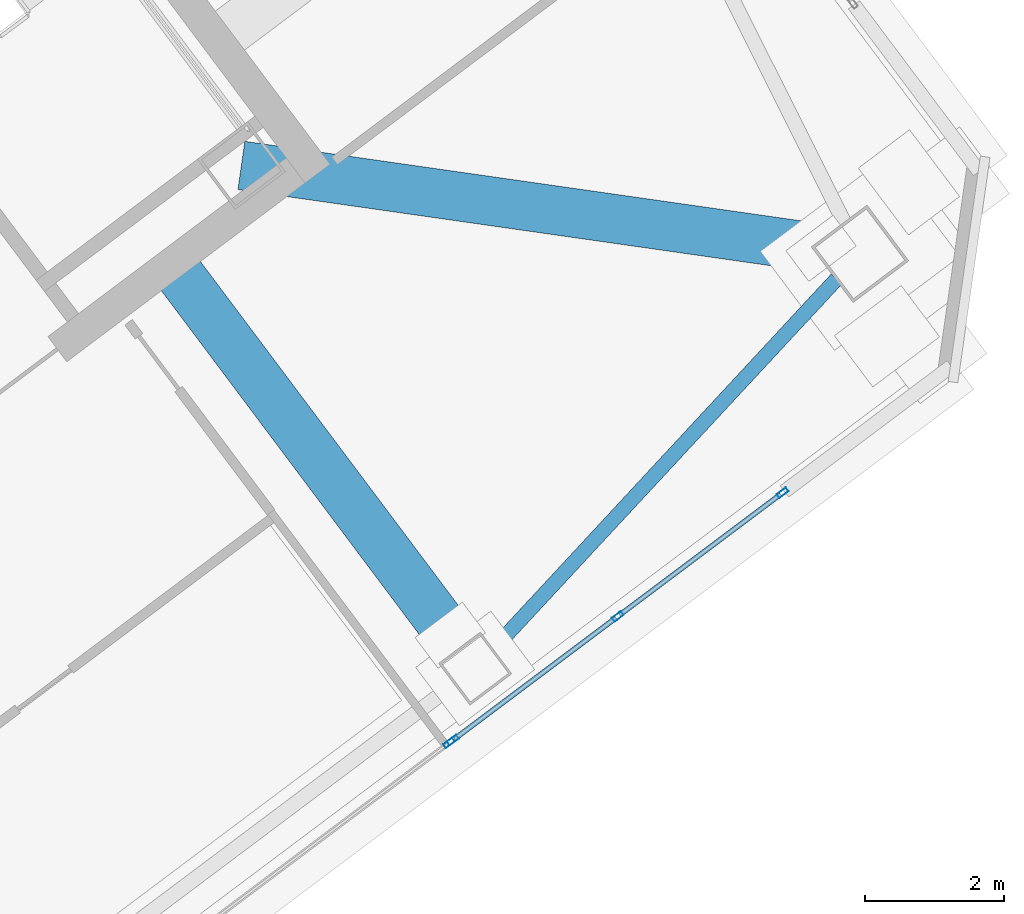
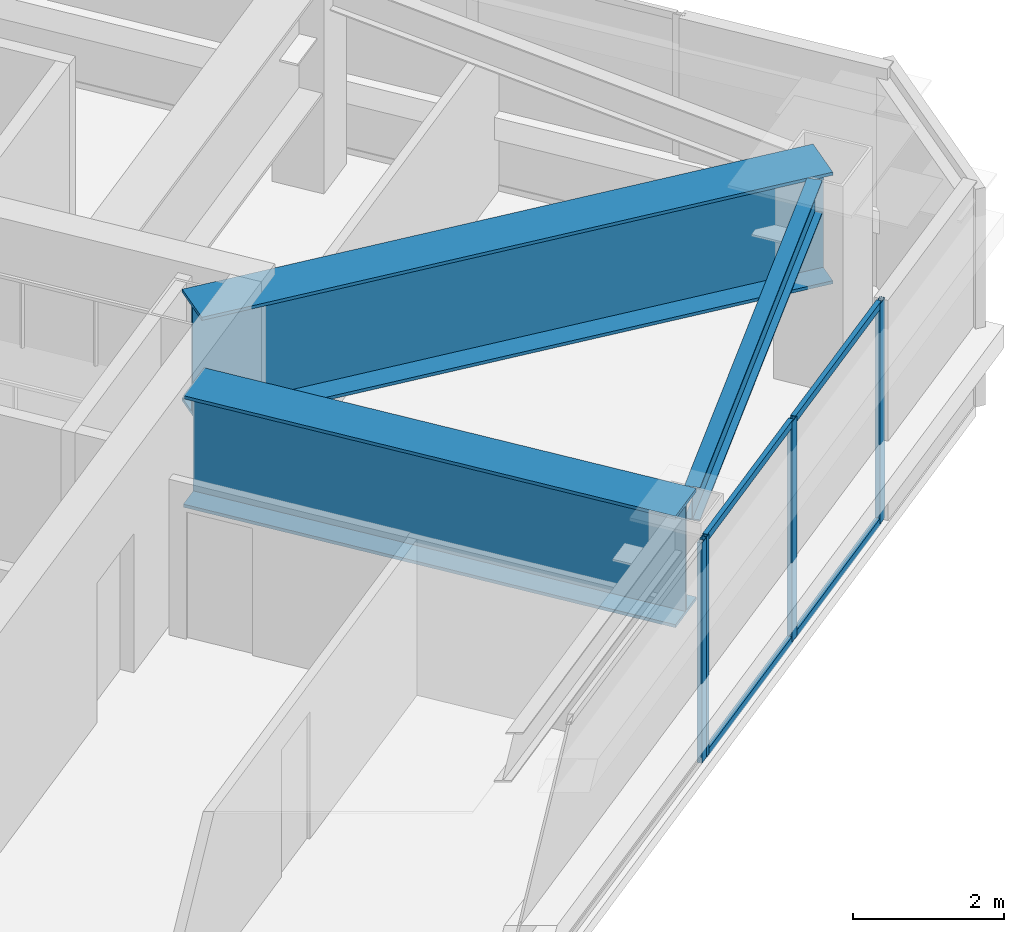
# One storey, part 23 of 40: 8 members, 3 beams, 2 elements without a shape of their own.
"""IFC4 building model written with IfcOpenShell, lengths in metres."""

import ifcopenshell
import ifcopenshell.guid

model = None  # the IFC model being written
_history = None  # IfcOwnerHistory: only IFC2X3 demands one
_inside = {}  # id of a spatial element -> (the spatial element, [elements in it])
_under = {}  # id of a project, library or spatial element -> (it, [spatial elements below it])
_declared = {}  # id of a project -> (the project, [libraries it declares])
_typed = {}  # id of a type object -> (the type object, [elements of that type])
_made_of = {}  # id of a material, layer set ... -> (it, [elements and type objects made of it])


def new_model(schema):
    """Start an empty IFC model of exactly this schema.

    Asked for "IFC4X3", IfcOpenShell would pick the latest addendum, in which some entities
    have other attributes; the version numbers below select the first issue.
    IFC2X3 requires an IfcOwnerHistory on every rooted entity: one is made here for all.
    """
    global model, _history
    if schema == "IFC4X3":
        model = ifcopenshell.file(schema_version=(4, 3, 0, 0))
    else:
        model = ifcopenshell.file(schema=schema)
    _inside.clear()
    _under.clear()
    _declared.clear()
    _typed.clear()
    _made_of.clear()
    _history = None
    if model.schema == "IFC2X3":
        org = make("IfcOrganization", Name="unknown")
        user = make(
            "IfcPersonAndOrganization",
            ThePerson=make("IfcPerson", FamilyName="unknown"),
            TheOrganization=org,
        )
        app = make(
            "IfcApplication",
            ApplicationDeveloper=org,
            Version="unknown",
            ApplicationFullName="unknown",
            ApplicationIdentifier="unknown",
        )
        _history = make(
            "IfcOwnerHistory",
            OwningUser=user,
            OwningApplication=app,
            ChangeAction="ADDED",
            CreationDate=0,
        )
    return model


def make(cls, **values):
    """One entity of the class cls with the attributes given. An attribute that is None is left unset."""
    return model.create_entity(
        cls, **{name: value for name, value in values.items() if value is not None}
    )


def rooted(cls, **values):
    """An entity with a GlobalId (a new one), such as an element, a storey or a relation."""
    return make(cls, GlobalId=ifcopenshell.guid.new(), OwnerHistory=_history, **values)


def si_unit(unit_type, name, prefix=None):
    """IfcSIUnit, for example si_unit("LENGTHUNIT", "METRE", prefix="MILLI")."""
    return make("IfcSIUnit", UnitType=unit_type, Prefix=prefix, Name=name)


def assignment(units):
    """IfcUnitAssignment: the units of a project."""
    return None if units is None else make("IfcUnitAssignment", Units=units)


def point(xyz):
    """IfcCartesianPoint."""
    return None if xyz is None else make("IfcCartesianPoint", Coordinates=xyz)


def direction(xyz):
    """IfcDirection."""
    return None if xyz is None else make("IfcDirection", DirectionRatios=xyz)


def frame(location, z_axis=None, x_axis=None):
    """IfcAxis2Placement3D, a coordinate frame: its origin and axes. An axis left out is left unset."""
    return make(
        "IfcAxis2Placement3D",
        Location=point(location),
        Axis=direction(z_axis),
        RefDirection=direction(x_axis),
    )


def frame_2d(location, x_axis=None):
    """IfcAxis2Placement2D, a coordinate frame in the plane: its origin and x axis."""
    return make(
        "IfcAxis2Placement2D", Location=point(location), RefDirection=direction(x_axis)
    )


def origin():
    """The frame at (0, 0, 0) with its axes left unset."""
    return frame((0.0, 0.0, 0.0))


def origin_2d():
    """The frame at (0, 0) in the plane with its x axis left unset."""
    return frame_2d((0.0, 0.0))


def place(relative_to, where):
    """IfcLocalPlacement: puts the frame where relative to a parent placement (None: the world)."""
    return make(
        "IfcLocalPlacement", PlacementRelTo=relative_to, RelativePlacement=where
    )


def context(
    kind, dimensions, precision=None, world=None, true_north=None, identifier=None
):
    """IfcGeometricRepresentationContext, for example the 3D "Model" context."""
    return make(
        "IfcGeometricRepresentationContext",
        ContextIdentifier=identifier,
        ContextType=kind,
        CoordinateSpaceDimension=dimensions,
        Precision=precision,
        WorldCoordinateSystem=world,
        TrueNorth=true_north,
    )


def subcontext(parent, identifier, kind, view, scale=None):
    """IfcGeometricRepresentationSubContext, for example "Body" below "Model"."""
    return make(
        "IfcGeometricRepresentationSubContext",
        ContextIdentifier=identifier,
        ContextType=kind,
        ParentContext=parent,
        TargetScale=scale,
        TargetView=view,
    )


def project(units=None, contexts=None):
    """IfcProject with its units and contexts."""
    return rooted(
        "IfcProject",
        Name="project",
        RepresentationContexts=contexts,
        UnitsInContext=assignment(units),
    )


def spatial(cls, under=None, at=None, **own):
    """A site, building, storey or space (cls), placed at a placement, below another one or the project."""
    s = rooted(cls, ObjectPlacement=at, **own)
    if under is not None:
        _under.setdefault(under.id(), (under, []))[1].append(s)
    return s


def profile(cls, at=None, kind="AREA", **sizes):
    """A parametric profile (cls). Its sizes go by their IFC names, for example OverallWidth=200.0."""
    return make(cls, ProfileType=kind, Position=at, **sizes)


def hollow_rectangle(**sizes):
    """IfcRectangleHollowProfileDef."""
    return profile("IfcRectangleHollowProfileDef", **sizes)


def i_section(**sizes):
    """IfcIShapeProfileDef."""
    return profile("IfcIShapeProfileDef", **sizes)


def extrude(swept, where, along, depth):
    """IfcExtrudedAreaSolid: the profile swept, set in the frame where, extruded along a direction by depth."""
    return make(
        "IfcExtrudedAreaSolid",
        SweptArea=swept,
        Position=where,
        ExtrudedDirection=direction(along),
        Depth=depth,
    )


def shape(context_of_items, identifier, shape_type, items):
    """IfcShapeRepresentation: the items that make up one representation, for example the "Body"."""
    return make(
        "IfcShapeRepresentation",
        ContextOfItems=context_of_items,
        RepresentationIdentifier=identifier,
        RepresentationType=shape_type,
        Items=items,
    )


def material(Name=None, Category=None):
    """IfcMaterial."""
    return make("IfcMaterial", Name=Name, Category=Category)


def material_profile(
    of_material, cross_section, Name=None, Category=None, Priority=None
):
    """IfcMaterialProfile: a cross section and its material."""
    return make(
        "IfcMaterialProfile",
        Name=Name,
        Material=of_material,
        Profile=cross_section,
        Priority=Priority,
        Category=Category,
    )


def profile_set(profiles, Name=None, composite=None):
    """IfcMaterialProfileSet."""
    return make(
        "IfcMaterialProfileSet",
        Name=Name,
        MaterialProfiles=profiles,
        CompositeProfile=composite,
    )


def made_of(thing, what):
    """Note that an element or type object is made of a material, layer set ...; save() writes the relation."""
    if what is not None:
        _made_of.setdefault(what.id(), (what, []))[1].append(thing)
    return thing


def type_object(cls, material=None, **own):
    """A type object (cls), such as IfcWallType, which elements share."""
    return made_of(rooted(cls, **own), material)


def element(
    cls,
    number,
    at=None,
    inside=None,
    cuts=None,
    type_object=None,
    material=None,
    context=None,
    identifier="Body",
    shape_type=None,
    held_by="IfcProductDefinitionShape",
    body=None,
    shapes=None,
    **own,
):
    """One element of the class cls, such as IfcWall. Its Tag is "e" and its number.

    at: its placement. inside: the storey or other place that contains it. cuts: it is an
    opening in that element (IfcRelVoidsElement). A single representation is given by context,
    identifier, shape_type and body (its items); several are given by shapes. held_by: the class
    of the entity that holds the representations. save() writes the other relations.
    """
    e = rooted(cls, Tag="e%d" % number, ObjectPlacement=at, **own)
    if body is not None:
        shapes = [shape(context, identifier, shape_type, body)]
    if shapes is not None:
        e.Representation = make(held_by, Representations=shapes)
    if inside is not None:
        _inside.setdefault(inside.id(), (inside, []))[1].append(e)
    if cuts is not None:
        rooted(
            "IfcRelVoidsElement", RelatingBuildingElement=cuts, RelatedOpeningElement=e
        )
    if type_object is not None:
        _typed.setdefault(type_object.id(), (type_object, []))[1].append(e)
    return made_of(e, material)


def aggregate(whole, parts):
    """IfcRelAggregates: a whole, such as a stair, and the parts it consists of."""
    return rooted("IfcRelAggregates", RelatingObject=whole, RelatedObjects=parts)


def save(model, path):
    """Write the relations noted so far, then the file.

    IfcRelAggregates (storeys below a building ...), IfcRelContainedInSpatialStructure (elements
    in a storey), IfcRelDefinesByType, IfcRelAssociatesMaterial and IfcRelDeclares: one each for
    every whole, place, type object, material and project.
    """
    for whole, parts in _under.values():
        aggregate(whole, parts)
    for where, things in _inside.values():
        rooted(
            "IfcRelContainedInSpatialStructure",
            RelatedElements=things,
            RelatingStructure=where,
        )
    for kind, things in _typed.values():
        rooted("IfcRelDefinesByType", RelatedObjects=things, RelatingType=kind)
    for what, things in _made_of.values():
        rooted("IfcRelAssociatesMaterial", RelatedObjects=things, RelatingMaterial=what)
    for by, libraries in _declared.values():
        rooted("IfcRelDeclares", RelatingContext=by, RelatedDefinitions=libraries)
    model.write(path)


model = new_model("IFC4")

# Units and contexts
model_context = context("Model", 3, precision=1e-05, world=origin(), true_north=direction((0.0, 1.0)))
body_context = subcontext(model_context, "Body", "Model", "MODEL_VIEW")
ifc_project = project(units=[si_unit("LENGTHUNIT", "METRE"), si_unit("AREAUNIT", "SQUARE_METRE"), si_unit("VOLUMEUNIT", "CUBIC_METRE"), si_unit("PLANEANGLEUNIT", "RADIAN"), si_unit("MASSUNIT", "GRAM", prefix="KILO")], contexts=[model_context])

# Site, building, storey
site_placement = place(None, origin())
site = spatial("IfcSite", under=ifc_project, at=site_placement, CompositionType="ELEMENT")
building_placement = place(site_placement, origin())
building = spatial("IfcBuilding", under=site, at=building_placement, Name="Tashvorn Skyway Center", CompositionType="ELEMENT")
storey_placement = place(building_placement, frame((0.0, 0.0, 229.050048828125)))
storey = spatial("IfcBuildingStorey", under=building, at=storey_placement, Name="L62", CompositionType="ELEMENT", Elevation=229.050048828125)

# Beams
ifc_material_1 = material(Name="Steel ASTM A572 Grade 50", Category="steel")
ifc_material_profile_1 = material_profile(ifc_material_1, i_section(OverallWidth=0.699951171875, OverallDepth=1.800048828125, WebThickness=0.031982421875, FlangeThickness=0.050048828125, at=origin_2d()), Name="PG1800x700")
ifc_profile_set_1 = profile_set([ifc_material_profile_1], Name="Steel ASTM A572 Grade 50")
beam_type_1 = type_object("IfcBeamType", Name="BM-BEAM-PG1800x700", PredefinedType="BEAM", material=ifc_profile_set_1)
beam_1_placement = place(storey_placement, frame((132.760009765625, 29.320068359375, 2.469970703125), z_axis=(-0.98994894992, 0.141425162373, 0.0), x_axis=(-0.141425162373, -0.98994894992, 0.0)))
element("IfcBeam", 1, at=beam_1_placement, inside=storey, type_object=beam_type_1, Name="Tower 2 L62 Setback Transfer Girder MC-SE", PredefinedType="BEAM", context=body_context, shape_type="SweptSolid", body=[
    extrude(i_section(OverallWidth=0.699951171875, OverallDepth=1.800048828125, WebThickness=0.031982421875, FlangeThickness=0.050048828125, at=origin_2d()), origin(), (0.0, 0.0, 1.0), 8.980224609375),
])
beam_2_placement = place(storey_placement, frame((127.22998046875, 23.360107421875, 2.469970703125), z_axis=(-0.599994474857, 0.800004143828, 0.0), x_axis=(-0.800004143828, -0.599994474857, 0.0)))
element("IfcBeam", 2, at=beam_2_placement, inside=storey, type_object=beam_type_1, Name="Tower 2 L62 Setback Transfer Girder FC-S2", PredefinedType="BEAM", context=body_context, shape_type="SweptSolid", body=[
    extrude(i_section(OverallWidth=0.699951171875, OverallDepth=1.800048828125, WebThickness=0.031982421875, FlangeThickness=0.050048828125, at=origin_2d()), origin(), (0.0, 0.0, 1.0), 7.070068359375),
])
ifc_material_2 = material(Name="Steel ASTM A992 Grade 50", Category="steel")
ifc_material_profile_2 = material_profile(ifc_material_2, i_section(OverallWidth=0.2109375, OverallDepth=0.5390625, WebThickness=0.01171875, FlangeThickness=0.018798828125, at=origin_2d()), Name="W21X73")
ifc_profile_set_2 = profile_set([ifc_material_profile_2], Name="Steel ASTM A992 Grade 50")
beam_type_2 = type_object("IfcBeamType", Name="BM-SPANDREL-W21X73", PredefinedType="SPANDREL", material=ifc_profile_set_2)
beam_3_placement = place(storey_placement, frame((127.481689453125, 23.63134765625, 3.100341796875), z_axis=(0.680182956622, 0.733042389989, 0.0), x_axis=(-0.733042389989, 0.680182956622, 0.0)))
element("IfcBeam", 3, at=beam_3_placement, inside=storey, type_object=beam_type_2, Name="Tower 2 L62 Spandrel Beam 03", PredefinedType="SPANDREL", context=body_context, shape_type="SweptSolid", body=[
    extrude(i_section(OverallWidth=0.2109375, OverallDepth=0.5390625, WebThickness=0.01171875, FlangeThickness=0.018798828125, at=origin_2d()), origin(), (0.0, 0.0, 1.0), 7.26513671875),
])

# Curtain wall, members
ifc_material_3 = material(Name="Thermally broken bronze-anodized aluminium 6063-T6", Category="aluminium")
curtain_wall_type = type_object("IfcCurtainWallType", Name="CW-CW-Z5", PredefinedType="NOTDEFINED", material=ifc_material_3)
curtain_wall_1_placement = place(storey_placement, origin())
curtain_wall_1 = element("IfcCurtainWall", 4, at=curtain_wall_1_placement, inside=storey, type_object=curtain_wall_type, Name="Tower 2 L62 South Unitised Curtain Wall Glazing Group 1", PredefinedType="NOTDEFINED")
ifc_material_profile_3 = material_profile(ifc_material_3, hollow_rectangle(XDim=0.070068359375, YDim=0.1650390625, WallThickness=0.00390625, at=origin_2d()), Name="ALU-MULL-70x165")
ifc_profile_set_3 = profile_set([ifc_material_profile_3], Name="Thermally broken bronze-anodized aluminium 6063-T6")
member_type_1 = type_object("IfcMemberType", Name="CWM-CW-Z5", PredefinedType="MULLION", material=ifc_profile_set_3)
member_1_placement = place(storey_placement, frame((131.647705078125, 25.8857421875, 0.0), z_axis=(0.0, 0.0, 1.0), x_axis=(0.600002670604, -0.79999799704, 0.0)))
member_1 = element("IfcMember", 5, at=member_1_placement, type_object=member_type_1, Name="CW-Z5 mullion 1", PredefinedType="MULLION", context=body_context, shape_type="SweptSolid", body=[
    extrude(hollow_rectangle(XDim=0.070068359375, YDim=0.1650390625, WallThickness=0.00390625, at=origin_2d()), origin(), (0.0, 0.0, 1.0), 3.550048828125),
])
member_2_placement = place(storey_placement, frame((129.279052734375, 24.109375, 0.0), z_axis=(0.0, 0.0, 1.0), x_axis=(0.600002670604, -0.79999799704, 0.0)))
member_2 = element("IfcMember", 6, at=member_2_placement, type_object=member_type_1, Name="CW-Z5 mullion 2", PredefinedType="MULLION", context=body_context, shape_type="SweptSolid", body=[
    extrude(hollow_rectangle(XDim=0.070068359375, YDim=0.1650390625, WallThickness=0.00390625, at=origin_2d()), origin(), (0.0, 0.0, 1.0), 3.550048828125),
])
member_3_placement = place(storey_placement, frame((126.91064453125, 22.3330078125, 0.0), z_axis=(0.0, 0.0, 1.0), x_axis=(0.600002670604, -0.79999799704, 0.0)))
member_3 = element("IfcMember", 7, at=member_3_placement, type_object=member_type_1, Name="CW-Z5 mullion 3", PredefinedType="MULLION", context=body_context, shape_type="SweptSolid", body=[
    extrude(hollow_rectangle(XDim=0.070068359375, YDim=0.1650390625, WallThickness=0.00390625, at=origin_2d()), origin(), (0.0, 0.0, 1.0), 3.550048828125),
])

# Curtain wall, member
curtain_wall_2_placement = place(storey_placement, origin())
curtain_wall_2 = element("IfcCurtainWall", 8, at=curtain_wall_2_placement, inside=storey, type_object=curtain_wall_type, Name="Tower 2 L62 South Unitised Curtain Wall Glazing Group 2", PredefinedType="NOTDEFINED")
member_4_placement = place(storey_placement, frame((126.854736328125, 22.291015625, 0.0), z_axis=(0.0, 0.0, 1.0), x_axis=(0.599996439189, -0.800002670596, 0.0)))
member_4 = element("IfcMember", 9, at=member_4_placement, type_object=member_type_1, Name="CW-Z5 mullion 1", PredefinedType="MULLION", context=body_context, shape_type="SweptSolid", body=[
    extrude(hollow_rectangle(XDim=0.070068359375, YDim=0.1650390625, WallThickness=0.00390625, at=origin_2d()), origin(), (0.0, 0.0, 1.0), 3.550048828125),
])
aggregate(curtain_wall_2, [member_4])

# Member
ifc_material_profile_4 = material_profile(ifc_material_3, hollow_rectangle(XDim=0.070068359375, YDim=0.114990234375, WallThickness=0.00390625, at=origin_2d()), Name="ALU-TRAN-70x115")
ifc_profile_set_4 = profile_set([ifc_material_profile_4], Name="Thermally broken bronze-anodized aluminium 6063-T6")
member_type_2 = type_object("IfcMemberType", Name="CWT-CW-Z5", PredefinedType="USERDEFINED", material=ifc_profile_set_4)
member_5_placement = place(storey_placement, frame((131.61962890625, 25.86474609375, 0.034912109375), z_axis=(-0.8, -0.6, 0.0), x_axis=(0.6, -0.8, 0.0)))
member_5 = element("IfcMember", 10, at=member_5_placement, type_object=member_type_2, Name="CW-Z5 transom 1.1", ObjectType="TRANSOM", PredefinedType="USERDEFINED", context=body_context, shape_type="SweptSolid", body=[
    extrude(hollow_rectangle(XDim=0.070068359375, YDim=0.114990234375, WallThickness=0.00390625, at=origin_2d()), origin(), (0.0, 0.0, 1.0), 2.890625),
])

member_6_placement = place(storey_placement, frame((131.61962890625, 25.86474609375, 3.514892578125), z_axis=(-0.8, -0.6, 0.0), x_axis=(0.6, -0.8, 0.0)))
member_6 = element("IfcMember", 11, at=member_6_placement, type_object=member_type_2, Name="CW-Z5 transom 1.2", ObjectType="TRANSOM", PredefinedType="USERDEFINED", context=body_context, shape_type="SweptSolid", body=[
    extrude(hollow_rectangle(XDim=0.070068359375, YDim=0.114990234375, WallThickness=0.00390625, at=origin_2d()), origin(), (0.0, 0.0, 1.0), 2.890625),
])

member_7_placement = place(storey_placement, frame((129.251220703125, 24.08837890625, 0.034912109375), z_axis=(-0.8, -0.6, 0.0), x_axis=(0.6, -0.8, 0.0)))
member_7 = element("IfcMember", 12, at=member_7_placement, type_object=member_type_2, Name="CW-Z5 transom 2.1", ObjectType="TRANSOM", PredefinedType="USERDEFINED", context=body_context, shape_type="SweptSolid", body=[
    extrude(hollow_rectangle(XDim=0.070068359375, YDim=0.114990234375, WallThickness=0.00390625, at=origin_2d()), origin(), (0.0, 0.0, 1.0), 2.890625),
])

member_8_placement = place(storey_placement, frame((129.251220703125, 24.08837890625, 3.514892578125), z_axis=(-0.8, -0.6, 0.0), x_axis=(0.6, -0.8, 0.0)))
member_8 = element("IfcMember", 13, at=member_8_placement, type_object=member_type_2, Name="CW-Z5 transom 2.2", ObjectType="TRANSOM", PredefinedType="USERDEFINED", context=body_context, shape_type="SweptSolid", body=[
    extrude(hollow_rectangle(XDim=0.070068359375, YDim=0.114990234375, WallThickness=0.00390625, at=origin_2d()), origin(), (0.0, 0.0, 1.0), 2.890625),
])

aggregate(curtain_wall_1, [member_1, member_2, member_3, member_5, member_6, member_7, member_8])

save(model, "model.ifc")
